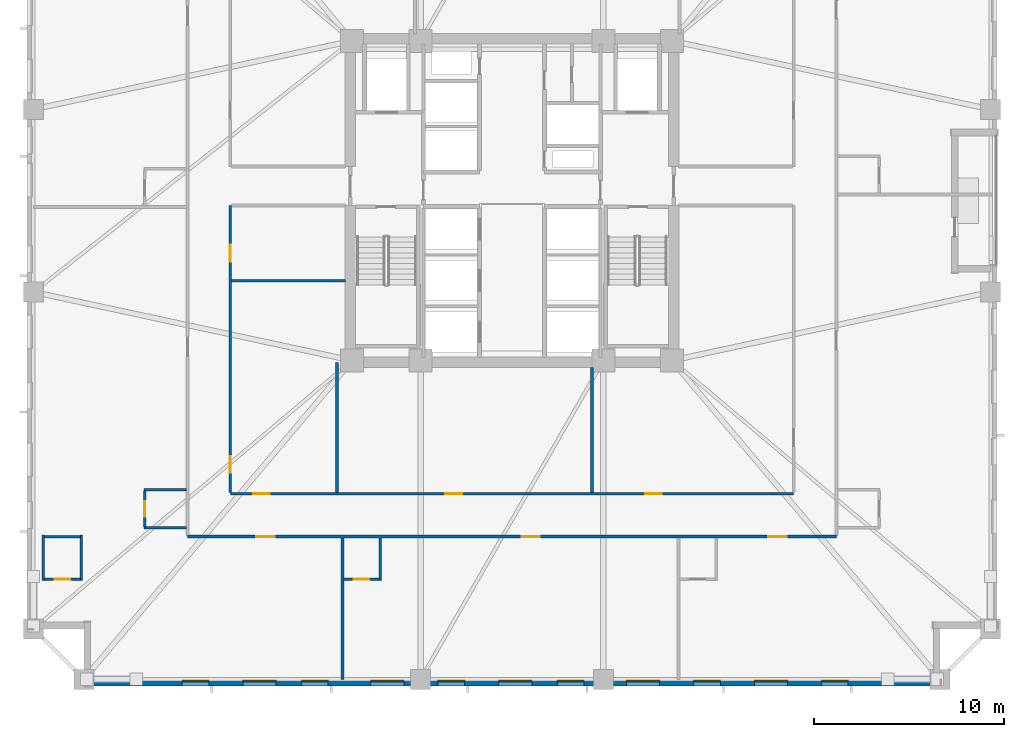
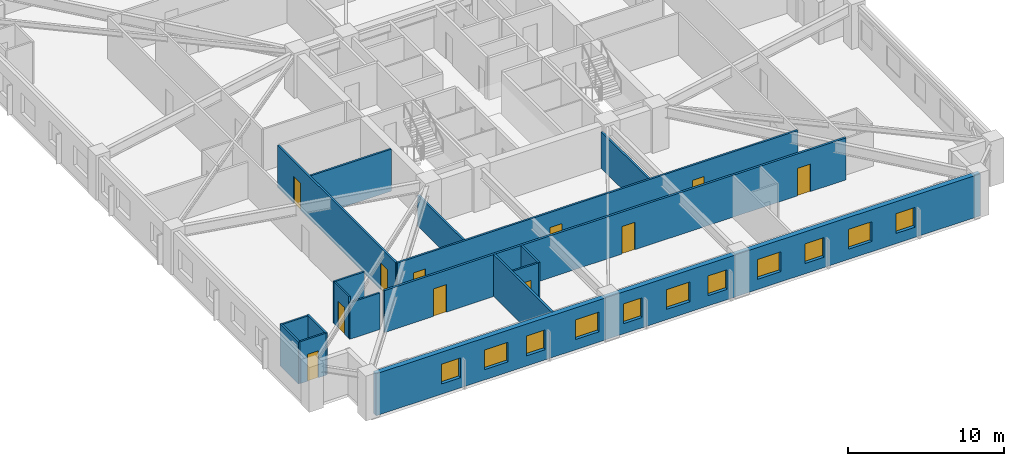
# One storey, part 2 of 11: 17 walls, 11 doors, 11 windows, 22 openings.
"""IFC4 building model written with IfcOpenShell, lengths in metres."""

from ifc_helpers import new_model, si_unit, direction, frame, frame_2d, origin, place, context, subcontext, project, spatial, rectangle, extrude, material, layer, layer_set, type_object, element, fill, save


model = new_model("IFC4")

# Units and contexts
model_context = context("Model", 3, precision=1e-05, world=origin(), true_north=direction((0.0, 1.0)))
body_context = subcontext(model_context, "Body", "Model", "MODEL_VIEW")
ifc_project = project(units=[si_unit("LENGTHUNIT", "METRE"), si_unit("AREAUNIT", "SQUARE_METRE"), si_unit("VOLUMEUNIT", "CUBIC_METRE"), si_unit("PLANEANGLEUNIT", "RADIAN"), si_unit("MASSUNIT", "GRAM", prefix="KILO")], contexts=[model_context])

# Site, building, storey
site_placement = place(None, origin())
site = spatial("IfcSite", under=ifc_project, at=site_placement, CompositionType="ELEMENT")
building_placement = place(site_placement, origin())
building = spatial("IfcBuilding", under=site, at=building_placement, Name="Cairnveth Concourse Tower", CompositionType="ELEMENT")
storey_placement = place(building_placement, frame((0.0, 0.0, 69.0)))
storey = spatial("IfcBuildingStorey", under=building, at=storey_placement, Name="L18", CompositionType="ELEMENT", Elevation=69.0)

# Wall, openings, doors
ifc_material_1 = material(Name="Gypsum Plasterboard Partition", Category="gypsum")
ifc_layer_1 = layer(ifc_material_1, 0.159912109375)
ifc_layer_set_1 = layer_set([ifc_layer_1], Name="Gypsum Plasterboard Partition")
wall_type_1 = type_object("IfcWallType", Name="ACOUSTIC PARTY WALL 180", PredefinedType="PARTITIONING", material=ifc_layer_set_1)
wall_1_placement = place(storey_placement, frame((34.949951171875, 21.35009765625, 0.0), z_axis=(0.0, 0.0, 1.0), x_axis=(1.0, 0.0, 0.0)))
wall_1 = element("IfcWall", 1, at=wall_1_placement, inside=storey, type_object=wall_type_1, Name="Interior Wall IW-L18-038", PredefinedType="PARTITIONING", context=body_context, shape_type="SweptSolid", body=[
    extrude(rectangle(XDim=34.10009765625, YDim=0.159912109375, at=frame_2d((17.050048828125, 0.0))), origin(), (0.0, 0.0, 1.0), 3.280029296875),
])
opening_1_placement = place(wall_1_placement, frame((3.61376953125, 0.0, 0.0)))
opening_1 = element("IfcOpeningElement", 2, at=opening_1_placement, cuts=wall_1, Name="Opening ID09", PredefinedType="OPENING", context=body_context, shape_type="SweptSolid", body=[
    extrude(rectangle(XDim=0.9599609375, YDim=2.14990234375, at=frame_2d((0.47998046875, 1.074951171875))), frame((0.0, 0.08984375, 0.0), z_axis=(0.0, -1.0, 0.0), x_axis=(1.0, 0.0, 0.0)), (0.0, 0.0, 1.0), 0.179931640625),
])
opening_2_placement = place(wall_1_placement, frame((17.56005859375, 0.0, 0.0)))
opening_2 = element("IfcOpeningElement", 3, at=opening_2_placement, cuts=wall_1, Name="Opening ID09", PredefinedType="OPENING", context=body_context, shape_type="SweptSolid", body=[
    extrude(rectangle(XDim=0.9599609375, YDim=2.14990234375, at=frame_2d((0.47998046875, 1.074951171875))), frame((0.0, 0.08984375, 0.0), z_axis=(0.0, -1.0, 0.0), x_axis=(1.0, 0.0, 0.0)), (0.0, 0.0, 1.0), 0.179931640625),
])
opening_3_placement = place(wall_1_placement, frame((30.51611328125, 0.0, 0.0)))
opening_3 = element("IfcOpeningElement", 4, at=opening_3_placement, cuts=wall_1, Name="Opening ID09", PredefinedType="OPENING", context=body_context, shape_type="SweptSolid", body=[
    extrude(rectangle(XDim=0.9599609375, YDim=2.14990234375, at=frame_2d((0.47998046875, 1.074951171875))), frame((0.0, 0.08984375, 0.0), z_axis=(0.0, -1.0, 0.0), x_axis=(1.0, 0.0, 0.0)), (0.0, 0.0, 1.0), 0.179931640625),
])
ifc_material_2 = material(Name="Solid Core Hardwood Timber Leaf", Category="wood")
door_type_1 = type_object("IfcDoorType", Name="HOTEL ENTRANCE DOOR 960X2150", OperationType="NOTDEFINED", PredefinedType="DOOR", material=ifc_material_2)
door_1_placement = place(opening_1_placement, origin())
door_1 = element("IfcDoor", 5, at=door_1_placement, inside=storey, type_object=door_type_1, Name="Hotel Room Door L18-S1", OperationType="SINGLE_SWING_RIGHT", OverallHeight=2.14990234375, OverallWidth=0.9599609375, PredefinedType="DOOR", context=body_context, shape_type="SweptSolid", body=[
    extrude(rectangle(XDim=0.9599609375, YDim=2.14990234375, at=frame_2d((0.47998046875, 1.074951171875))), frame((0.0, 0.02490234375, 0.0), z_axis=(0.0, -1.0, 0.0), x_axis=(1.0, 0.0, 0.0)), (0.0, 0.0, 1.0), 0.050048828125),
])
fill(opening_1, door_1)
door_2_placement = place(opening_2_placement, origin())
door_2 = element("IfcDoor", 6, at=door_2_placement, inside=storey, type_object=door_type_1, Name="Hotel Room Door L18-S2", OperationType="SINGLE_SWING_RIGHT", OverallHeight=2.14990234375, OverallWidth=0.9599609375, PredefinedType="DOOR", context=body_context, shape_type="SweptSolid", body=[
    extrude(rectangle(XDim=0.9599609375, YDim=2.14990234375, at=frame_2d((0.47998046875, 1.074951171875))), frame((0.0, 0.02490234375, 0.0), z_axis=(0.0, -1.0, 0.0), x_axis=(1.0, 0.0, 0.0)), (0.0, 0.0, 1.0), 0.050048828125),
])
fill(opening_2, door_2)
door_3_placement = place(opening_3_placement, origin())
door_3 = element("IfcDoor", 7, at=door_3_placement, inside=storey, type_object=door_type_1, Name="Hotel Room Door L18-S3", OperationType="SINGLE_SWING_RIGHT", OverallHeight=2.14990234375, OverallWidth=0.9599609375, PredefinedType="DOOR", context=body_context, shape_type="SweptSolid", body=[
    extrude(rectangle(XDim=0.9599609375, YDim=2.14990234375, at=frame_2d((0.47998046875, 1.074951171875))), frame((0.0, 0.02490234375, 0.0), z_axis=(0.0, -1.0, 0.0), x_axis=(1.0, 0.0, 0.0)), (0.0, 0.0, 1.0), 0.050048828125),
])
fill(opening_3, door_3)

# Wall
wall_2_placement = place(storey_placement, frame((43.08740234375, 13.844970703125, 0.0), z_axis=(0.0, 0.0, 1.0), x_axis=(0.0, 1.0, 0.0)))
element("IfcWall", 8, at=wall_2_placement, inside=storey, type_object=wall_type_1, Name="Interior Wall IW-L18-061", PredefinedType="PARTITIONING", context=body_context, shape_type="SweptSolid", body=[
    extrude(rectangle(XDim=7.43994140625, YDim=0.159912109375, at=frame_2d((3.719970703125, 0.0))), origin(), (0.0, 0.0, 1.0), 3.280029296875),
])

# Wall, openings, doors
ifc_layer_2 = layer(ifc_material_1, 0.139892578125)
ifc_layer_set_2 = layer_set([ifc_layer_2], Name="Gypsum Plasterboard Partition")
wall_type_2 = type_object("IfcWallType", Name="GYPSUM STUD PARTITION 140", PredefinedType="PARTITIONING", material=ifc_layer_set_2)
wall_3_placement = place(storey_placement, frame((37.199951171875, 23.60009765625, 0.0), z_axis=(0.0, 0.0, 1.0), x_axis=(1.0, 0.0, 0.0)))
wall_3 = element("IfcWall", 9, at=wall_3_placement, inside=storey, type_object=wall_type_2, Name="Interior Wall IW-L18-042", PredefinedType="PARTITIONING", context=body_context, shape_type="SweptSolid", body=[
    extrude(rectangle(XDim=29.60009765625, YDim=0.139892578125, at=frame_2d((14.800048828125, 0.0))), origin(), (0.0, 0.0, 1.0), 3.280029296875),
])
opening_4_placement = place(wall_3_placement, frame((1.199951171875, 0.0, 0.0)))
opening_4 = element("IfcOpeningElement", 10, at=opening_4_placement, cuts=wall_3, Name="Opening ID18", PredefinedType="OPENING", context=body_context, shape_type="SweptSolid", body=[
    extrude(rectangle(XDim=0.8798828125, YDim=2.10009765625, at=frame_2d((0.43994140625, 1.050048828125))), frame((0.0, 0.079833984375, 0.0), z_axis=(0.0, -1.0, 0.0), x_axis=(1.0, 0.0, 0.0)), (0.0, 0.0, 1.0), 0.159912109375),
])
opening_5_placement = place(wall_3_placement, frame((11.300048828125, 0.0, 0.0)))
opening_5 = element("IfcOpeningElement", 11, at=opening_5_placement, cuts=wall_3, Name="Opening ID18", PredefinedType="OPENING", context=body_context, shape_type="SweptSolid", body=[
    extrude(rectangle(XDim=0.8798828125, YDim=2.10009765625, at=frame_2d((0.43994140625, 1.050048828125))), frame((0.0, 0.079833984375, 0.0), z_axis=(0.0, -1.0, 0.0), x_axis=(1.0, 0.0, 0.0)), (0.0, 0.0, 1.0), 0.159912109375),
])
opening_6_placement = place(wall_3_placement, frame((21.800048828125, 0.0, 0.0)))
opening_6 = element("IfcOpeningElement", 12, at=opening_6_placement, cuts=wall_3, Name="Opening ID18", PredefinedType="OPENING", context=body_context, shape_type="SweptSolid", body=[
    extrude(rectangle(XDim=0.8798828125, YDim=2.10009765625, at=frame_2d((0.43994140625, 1.050048828125))), frame((0.0, 0.079833984375, 0.0), z_axis=(0.0, -1.0, 0.0), x_axis=(1.0, 0.0, 0.0)), (0.0, 0.0, 1.0), 0.159912109375),
])
door_type_2 = type_object("IfcDoorType", Name="INTERIOR SINGLE DOOR 880X2100", OperationType="NOTDEFINED", PredefinedType="DOOR", material=ifc_material_2)
door_4_placement = place(opening_4_placement, origin())
door_4 = element("IfcDoor", 13, at=door_4_placement, inside=storey, type_object=door_type_2, Name="Interior Door DR-L18-014", OperationType="SINGLE_SWING_RIGHT", OverallHeight=2.10009765625, OverallWidth=0.8798828125, PredefinedType="DOOR", context=body_context, shape_type="SweptSolid", body=[
    extrude(rectangle(XDim=0.8798828125, YDim=2.10009765625, at=frame_2d((0.43994140625, 1.050048828125))), frame((0.0, 0.02490234375, 0.0), z_axis=(0.0, -1.0, 0.0), x_axis=(1.0, 0.0, 0.0)), (0.0, 0.0, 1.0), 0.050048828125),
])
fill(opening_4, door_4)
door_5_placement = place(opening_5_placement, origin())
door_5 = element("IfcDoor", 14, at=door_5_placement, inside=storey, type_object=door_type_2, Name="Interior Door DR-L18-015", OperationType="SINGLE_SWING_LEFT", OverallHeight=2.10009765625, OverallWidth=0.8798828125, PredefinedType="DOOR", context=body_context, shape_type="SweptSolid", body=[
    extrude(rectangle(XDim=0.8798828125, YDim=2.10009765625, at=frame_2d((0.43994140625, 1.050048828125))), frame((0.0, 0.02490234375, 0.0), z_axis=(0.0, -1.0, 0.0), x_axis=(1.0, 0.0, 0.0)), (0.0, 0.0, 1.0), 0.050048828125),
])
fill(opening_5, door_5)
door_6_placement = place(opening_6_placement, origin())
door_6 = element("IfcDoor", 15, at=door_6_placement, inside=storey, type_object=door_type_2, Name="Interior Door DR-L18-016", OperationType="SINGLE_SWING_RIGHT", OverallHeight=2.10009765625, OverallWidth=0.8798828125, PredefinedType="DOOR", context=body_context, shape_type="SweptSolid", body=[
    extrude(rectangle(XDim=0.8798828125, YDim=2.10009765625, at=frame_2d((0.43994140625, 1.050048828125))), frame((0.0, 0.02490234375, 0.0), z_axis=(0.0, -1.0, 0.0), x_axis=(1.0, 0.0, 0.0)), (0.0, 0.0, 1.0), 0.050048828125),
])
fill(opening_6, door_6)

wall_4_placement = place(storey_placement, frame((37.199951171875, 23.655029296875, 0.0), z_axis=(0.0, 0.0, 1.0), x_axis=(0.0, 1.0, 0.0)))
wall_4 = element("IfcWall", 16, at=wall_4_placement, inside=storey, type_object=wall_type_2, Name="Interior Wall IW-L18-044", PredefinedType="PARTITIONING", context=body_context, shape_type="SweptSolid", body=[
    extrude(rectangle(XDim=15.094970703125, YDim=0.139892578125, at=frame_2d((7.54736328125, 0.0))), origin(), (0.0, 0.0, 1.0), 3.280029296875),
])
opening_7_placement = place(wall_4_placement, frame((1.044921875, 0.0, 0.0)))
opening_7 = element("IfcOpeningElement", 17, at=opening_7_placement, cuts=wall_4, Name="Opening ID18", PredefinedType="OPENING", context=body_context, shape_type="SweptSolid", body=[
    extrude(rectangle(XDim=0.8798828125, YDim=2.10009765625, at=frame_2d((0.43994140625, 1.050048828125))), frame((0.0, 0.079833984375, 0.0), z_axis=(0.0, -1.0, 0.0), x_axis=(1.0, 0.0, 0.0)), (0.0, 0.0, 1.0), 0.159912109375),
])
opening_8_placement = place(wall_4_placement, frame((12.14501953125, 0.0, 0.0)))
opening_8 = element("IfcOpeningElement", 18, at=opening_8_placement, cuts=wall_4, Name="Opening ID18", PredefinedType="OPENING", context=body_context, shape_type="SweptSolid", body=[
    extrude(rectangle(XDim=0.8798828125, YDim=2.10009765625, at=frame_2d((0.43994140625, 1.050048828125))), frame((0.0, 0.079833984375, 0.0), z_axis=(0.0, -1.0, 0.0), x_axis=(1.0, 0.0, 0.0)), (0.0, 0.0, 1.0), 0.159912109375),
])
door_7_placement = place(opening_7_placement, origin())
door_7 = element("IfcDoor", 19, at=door_7_placement, inside=storey, type_object=door_type_2, Name="Interior Door DR-L18-020", OperationType="SINGLE_SWING_RIGHT", OverallHeight=2.10009765625, OverallWidth=0.8798828125, PredefinedType="DOOR", context=body_context, shape_type="SweptSolid", body=[
    extrude(rectangle(XDim=0.8798828125, YDim=2.10009765625, at=frame_2d((0.43994140625, 1.050048828125))), frame((0.0, 0.02490234375, 0.0), z_axis=(0.0, -1.0, 0.0), x_axis=(1.0, 0.0, 0.0)), (0.0, 0.0, 1.0), 0.050048828125),
])
fill(opening_7, door_7)
door_8_placement = place(opening_8_placement, origin())
door_8 = element("IfcDoor", 20, at=door_8_placement, inside=storey, type_object=door_type_2, Name="Interior Door DR-L18-021", OperationType="SINGLE_SWING_LEFT", OverallHeight=2.10009765625, OverallWidth=0.8798828125, PredefinedType="DOOR", context=body_context, shape_type="SweptSolid", body=[
    extrude(rectangle(XDim=0.8798828125, YDim=2.10009765625, at=frame_2d((0.43994140625, 1.050048828125))), frame((0.0, 0.02490234375, 0.0), z_axis=(0.0, -1.0, 0.0), x_axis=(1.0, 0.0, 0.0)), (0.0, 0.0, 1.0), 0.050048828125),
])
fill(opening_8, door_8)

# Walls
wall_5_placement = place(storey_placement, frame((42.800048828125, 23.655029296875, 0.0), z_axis=(0.0, 0.0, 1.0), x_axis=(0.0, 1.0, 0.0)))
element("IfcWall", 21, at=wall_5_placement, inside=storey, type_object=wall_type_2, Name="Interior Wall IW-L18-052", PredefinedType="PARTITIONING", context=body_context, shape_type="SweptSolid", body=[
    extrude(rectangle(XDim=6.844970703125, YDim=0.139892578125, at=frame_2d((3.42236328125, 0.0))), origin(), (0.0, 0.0, 1.0), 2.43896484375),
])
wall_6_placement = place(storey_placement, frame((56.199951171875, 23.655029296875, 0.0), z_axis=(0.0, 0.0, 1.0), x_axis=(0.0, 1.0, 0.0)))
element("IfcWall", 22, at=wall_6_placement, inside=storey, type_object=wall_type_2, Name="Interior Wall IW-L18-053", PredefinedType="PARTITIONING", context=body_context, shape_type="SweptSolid", body=[
    extrude(rectangle(XDim=6.5849609375, YDim=0.139892578125, at=frame_2d((3.29248046875, 0.0))), origin(), (0.0, 0.0, 1.0), 2.84912109375),
])
wall_7_placement = place(storey_placement, frame((37.2548828125, 34.800048828125, 0.0), z_axis=(0.0, 0.0, 1.0), x_axis=(1.0, 0.0, 0.0)))
element("IfcWall", 23, at=wall_7_placement, inside=storey, type_object=wall_type_2, Name="Interior Wall IW-L18-056", PredefinedType="PARTITIONING", context=body_context, shape_type="SweptSolid", body=[
    extrude(rectangle(XDim=5.985107421875, YDim=0.139892578125, at=frame_2d((2.99267578125, 0.0))), origin(), (0.0, 0.0, 1.0), 3.280029296875),
])
ifc_layer_3 = layer(ifc_material_1, 0.1298828125)
ifc_layer_set_3 = layer_set([ifc_layer_3], Name="Gypsum Plasterboard Partition")
wall_type_3 = type_object("IfcWallType", Name="WET AREA PARTITION 140", PredefinedType="PLUMBINGWALL", material=ifc_layer_set_3)
for number, where, z_axis, x_axis, name in (
    (24, (27.3701171875, 19.050048828125, 0.0), (0.0, 0.0, 1.0), (0.0, 1.0, 0.0), "Interior Wall IW-L18-057"),
    (25, (29.3701171875, 19.050048828125, 0.0), (0.0, 0.0, 1.0), (0.0, 1.0, 0.0), "Interior Wall IW-L18-058"),
):
    element("IfcWall", number, at=place(storey_placement, frame(where, z_axis=z_axis, x_axis=x_axis)), inside=storey, type_object=wall_type_3, Name=name, PredefinedType="PLUMBINGWALL", context=body_context, shape_type="SweptSolid", body=[
        extrude(rectangle(XDim=2.3798828125, YDim=0.1298828125, at=frame_2d((1.18994140625, 0.0))), origin(), (0.0, 0.0, 1.0), 3.280029296875),
    ])

# Wall, opening, door
wall_8_placement = place(storey_placement, frame((27.419921875, 19.10009765625, 0.0), z_axis=(0.0, 0.0, 1.0), x_axis=(1.0, 0.0, 0.0)))
wall_8 = element("IfcWall", 26, at=wall_8_placement, inside=storey, type_object=wall_type_3, Name="Interior Wall IW-L18-059", PredefinedType="PLUMBINGWALL", context=body_context, shape_type="SweptSolid", body=[
    extrude(rectangle(XDim=1.900146484375, YDim=0.1298828125, at=frame_2d((0.9501953125, 0.0))), origin(), (0.0, 0.0, 1.0), 3.280029296875),
])
opening_9_placement = place(wall_8_placement, frame((0.5400390625, 0.0, 0.0)))
opening_9 = element("IfcOpeningElement", 27, at=opening_9_placement, cuts=wall_8, Name="Opening ID22", PredefinedType="OPENING", context=body_context, shape_type="SweptSolid", body=[
    extrude(rectangle(XDim=0.820068359375, YDim=2.10009765625, at=frame_2d((0.41015625, 1.050048828125))), frame((0.0, 0.074951171875, 0.0), z_axis=(0.0, -1.0, 0.0), x_axis=(1.0, 0.0, 0.0)), (0.0, 0.0, 1.0), 0.14990234375),
])
door_type_3 = type_object("IfcDoorType", Name="INTERIOR WC DOOR 820X2100", OperationType="NOTDEFINED", PredefinedType="DOOR", material=ifc_material_2)
door_9_placement = place(opening_9_placement, origin())
door_9 = element("IfcDoor", 28, at=door_9_placement, inside=storey, type_object=door_type_3, Name="En-Suite Door L18-S1", OperationType="SINGLE_SWING_LEFT", OverallHeight=2.10009765625, OverallWidth=0.820068359375, PredefinedType="DOOR", context=body_context, shape_type="SweptSolid", body=[
    extrude(rectangle(XDim=0.820068359375, YDim=2.10009765625, at=frame_2d((0.41015625, 1.050048828125))), frame((0.0, 0.02490234375, 0.0), z_axis=(0.0, -1.0, 0.0), x_axis=(1.0, 0.0, 0.0)), (0.0, 0.0, 1.0), 0.050048828125),
])
fill(opening_9, door_9)

# Walls
wall_9_placement = place(storey_placement, frame((27.419921875, 21.35009765625, 0.0), z_axis=(0.0, 0.0, 1.0), x_axis=(1.0, 0.0, 0.0)))
element("IfcWall", 29, at=wall_9_placement, inside=storey, type_object=wall_type_3, Name="Interior Wall IW-L18-060", PredefinedType="PLUMBINGWALL", context=body_context, shape_type="SweptSolid", body=[
    extrude(rectangle(XDim=1.900146484375, YDim=0.1298828125, at=frame_2d((0.9501953125, 0.0))), origin(), (0.0, 0.0, 1.0), 3.280029296875),
])
wall_10_placement = place(storey_placement, frame((45.08740234375, 19.050048828125, 0.0), z_axis=(0.0, 0.0, 1.0), x_axis=(0.0, 1.0, 0.0)))
element("IfcWall", 30, at=wall_10_placement, inside=storey, type_object=wall_type_3, Name="Interior Wall IW-L18-062", PredefinedType="PLUMBINGWALL", context=body_context, shape_type="SweptSolid", body=[
    extrude(rectangle(XDim=2.23486328125, YDim=0.1298828125, at=frame_2d((1.117431640625, 0.0))), origin(), (0.0, 0.0, 1.0), 3.280029296875),
])

# Wall, opening, door
wall_11_placement = place(storey_placement, frame((43.152587890625, 19.10009765625, 0.0), z_axis=(0.0, 0.0, 1.0), x_axis=(1.0, 0.0, 0.0)))
wall_11 = element("IfcWall", 31, at=wall_11_placement, inside=storey, type_object=wall_type_3, Name="Interior Wall IW-L18-063", PredefinedType="PLUMBINGWALL", context=body_context, shape_type="SweptSolid", body=[
    extrude(rectangle(XDim=1.885009765625, YDim=0.1298828125, at=frame_2d((0.9423828125, 0.0))), origin(), (0.0, 0.0, 1.0), 3.280029296875),
])
opening_10_placement = place(wall_11_placement, frame((0.52490234375, 0.0, 0.0)))
opening_10 = element("IfcOpeningElement", 32, at=opening_10_placement, cuts=wall_11, Name="Opening ID22", PredefinedType="OPENING", context=body_context, shape_type="SweptSolid", body=[
    extrude(rectangle(XDim=0.820068359375, YDim=2.10009765625, at=frame_2d((0.41015625, 1.050048828125))), frame((0.0, 0.074951171875, 0.0), z_axis=(0.0, -1.0, 0.0), x_axis=(1.0, 0.0, 0.0)), (0.0, 0.0, 1.0), 0.14990234375),
])
door_10_placement = place(opening_10_placement, origin())
door_10 = element("IfcDoor", 33, at=door_10_placement, inside=storey, type_object=door_type_3, Name="En-Suite Door L18-S2", OperationType="SINGLE_SWING_LEFT", OverallHeight=2.10009765625, OverallWidth=0.820068359375, PredefinedType="DOOR", context=body_context, shape_type="SweptSolid", body=[
    extrude(rectangle(XDim=0.820068359375, YDim=2.10009765625, at=frame_2d((0.41015625, 1.050048828125))), frame((0.0, 0.02490234375, 0.0), z_axis=(0.0, -1.0, 0.0), x_axis=(1.0, 0.0, 0.0)), (0.0, 0.0, 1.0), 0.050048828125),
])
fill(opening_10, door_10)

# Walls
wall_12_placement = place(storey_placement, frame((32.64990234375, 21.800048828125, 0.0), z_axis=(0.0, 0.0, 1.0), x_axis=(1.0, 0.0, 0.0)))
element("IfcWall", 34, at=wall_12_placement, inside=storey, type_object=wall_type_3, Name="Interior Wall IW-L18-077", PredefinedType="PLUMBINGWALL", context=body_context, shape_type="SweptSolid", body=[
    extrude(rectangle(XDim=2.235107421875, YDim=0.1298828125, at=frame_2d((1.11767578125, 0.0))), origin(), (0.0, 0.0, 1.0), 2.84912109375),
])
wall_13_placement = place(storey_placement, frame((32.64990234375, 23.800048828125, 0.0), z_axis=(0.0, 0.0, 1.0), x_axis=(1.0, 0.0, 0.0)))
element("IfcWall", 35, at=wall_13_placement, inside=storey, type_object=wall_type_3, Name="Interior Wall IW-L18-078", PredefinedType="PLUMBINGWALL", context=body_context, shape_type="SweptSolid", body=[
    extrude(rectangle(XDim=2.235107421875, YDim=0.1298828125, at=frame_2d((1.11767578125, 0.0))), origin(), (0.0, 0.0, 1.0), 3.280029296875),
])

# Wall, opening, door
wall_14_placement = place(storey_placement, frame((32.699951171875, 21.85009765625, 0.0), z_axis=(0.0, 0.0, 1.0), x_axis=(0.0, 1.0, 0.0)))
wall_14 = element("IfcWall", 36, at=wall_14_placement, inside=storey, type_object=wall_type_3, Name="Interior Wall IW-L18-079", PredefinedType="PLUMBINGWALL", context=body_context, shape_type="SweptSolid", body=[
    extrude(rectangle(XDim=1.89990234375, YDim=0.1298828125, at=frame_2d((0.949951171875, 0.0))), origin(), (0.0, 0.0, 1.0), 3.280029296875),
])
opening_11_placement = place(wall_14_placement, frame((0.5400390625, 0.0, 0.0)))
opening_11 = element("IfcOpeningElement", 37, at=opening_11_placement, cuts=wall_14, Name="Opening ID22", PredefinedType="OPENING", context=body_context, shape_type="SweptSolid", body=[
    extrude(rectangle(XDim=0.820068359375, YDim=2.10009765625, at=frame_2d((0.41015625, 1.050048828125))), frame((0.0, 0.074951171875, 0.0), z_axis=(0.0, -1.0, 0.0), x_axis=(1.0, 0.0, 0.0)), (0.0, 0.0, 1.0), 0.14990234375),
])
door_11_placement = place(opening_11_placement, origin())
door_11 = element("IfcDoor", 38, at=door_11_placement, inside=storey, type_object=door_type_3, Name="En-Suite Door L18-W1", OperationType="SINGLE_SWING_LEFT", OverallHeight=2.10009765625, OverallWidth=0.820068359375, PredefinedType="DOOR", context=body_context, shape_type="SweptSolid", body=[
    extrude(rectangle(XDim=0.820068359375, YDim=2.10009765625, at=frame_2d((0.41015625, 1.050048828125))), frame((0.0, 0.02490234375, 0.0), z_axis=(0.0, -1.0, 0.0), x_axis=(1.0, 0.0, 0.0)), (0.0, 0.0, 1.0), 0.050048828125),
])
fill(opening_11, door_11)

# Wall, openings, windows
ifc_material_3 = material(Name="Hawthorn Red-Ochre Fired Clay Brick Masonry", Category="masonry")
ifc_layer_4 = layer(ifc_material_3, 0.360107421875)
ifc_layer_set_4 = layer_set([ifc_layer_4], Name="Hawthorn Red-Ochre Fired Clay Brick Masonry")
wall_type_4 = type_object("IfcWallType", Name="ZONE 1 BRICK PIER SPANDREL WALL 360", PredefinedType="SOLIDWALL", material=ifc_layer_set_4)
wall_15_placement = place(storey_placement, frame((74.5, 13.679931640625, 0.0), z_axis=(0.0, 0.0, 1.0), x_axis=(-1.0, 0.0, 0.0)))
wall_15 = element("IfcWall", 39, at=wall_15_placement, inside=storey, type_object=wall_type_4, Name="Exterior Wall EW-L18-S03", PredefinedType="SOLIDWALL", context=body_context, shape_type="SweptSolid", body=[
    extrude(rectangle(XDim=44.662109375, YDim=0.360107421875, at=frame_2d((22.3310546875, 0.0))), origin(), (0.0, 0.0, 1.0), 3.280029296875),
])
opening_12_placement = place(wall_15_placement, frame((4.830078125, 0.0, 0.800048828125)))
opening_12 = element("IfcOpeningElement", 40, at=opening_12_placement, cuts=wall_15, Name="Opening W05", PredefinedType="OPENING", context=body_context, shape_type="SweptSolid", body=[
    extrude(rectangle(XDim=1.39990234375, YDim=1.5439453125, at=frame_2d((0.699951171875, 0.77197265625))), frame((0.0, 0.18994140625, 0.0), z_axis=(0.0, -1.0, 0.0), x_axis=(1.0, 0.0, 0.0)), (0.0, 0.0, 1.0), 0.380126953125),
])
opening_13_placement = place(wall_15_placement, frame((8.015380859375, 0.0, 0.800048828125)))
opening_13 = element("IfcOpeningElement", 41, at=opening_13_placement, cuts=wall_15, Name="Opening W06", PredefinedType="OPENING", context=body_context, shape_type="SweptSolid", body=[
    extrude(rectangle(XDim=1.75, YDim=1.5439453125, at=frame_2d((0.875, 0.77197265625))), frame((0.0, 0.18994140625, 0.0), z_axis=(0.0, -1.0, 0.0), x_axis=(1.0, 0.0, 0.0)), (0.0, 0.0, 1.0), 0.380126953125),
])
opening_14_placement = place(wall_15_placement, frame((11.550537109375, 0.0, 0.800048828125)))
opening_14 = element("IfcOpeningElement", 42, at=opening_14_placement, cuts=wall_15, Name="Opening W05", PredefinedType="OPENING", context=body_context, shape_type="SweptSolid", body=[
    extrude(rectangle(XDim=1.39990234375, YDim=1.5439453125, at=frame_2d((0.699951171875, 0.77197265625))), frame((0.0, 0.18994140625, 0.0), z_axis=(0.0, -1.0, 0.0), x_axis=(1.0, 0.0, 0.0)), (0.0, 0.0, 1.0), 0.380126953125),
])
opening_15_placement = place(wall_15_placement, frame((14.735595703125, 0.0, 0.800048828125)))
opening_15 = element("IfcOpeningElement", 43, at=opening_15_placement, cuts=wall_15, Name="Opening W06", PredefinedType="OPENING", context=body_context, shape_type="SweptSolid", body=[
    extrude(rectangle(XDim=1.75, YDim=1.5439453125, at=frame_2d((0.875, 0.77197265625))), frame((0.0, 0.18994140625, 0.0), z_axis=(0.0, -1.0, 0.0), x_axis=(1.0, 0.0, 0.0)), (0.0, 0.0, 1.0), 0.380126953125),
])
opening_16_placement = place(wall_15_placement, frame((18.720703125, 0.0, 0.800048828125)))
opening_16 = element("IfcOpeningElement", 44, at=opening_16_placement, cuts=wall_15, Name="Opening W05", PredefinedType="OPENING", context=body_context, shape_type="SweptSolid", body=[
    extrude(rectangle(XDim=1.39990234375, YDim=1.5439453125, at=frame_2d((0.699951171875, 0.77197265625))), frame((0.0, 0.18994140625, 0.0), z_axis=(0.0, -1.0, 0.0), x_axis=(1.0, 0.0, 0.0)), (0.0, 0.0, 1.0), 0.380126953125),
])
opening_17_placement = place(wall_15_placement, frame((21.4560546875, 0.0, 0.800048828125)))
opening_17 = element("IfcOpeningElement", 45, at=opening_17_placement, cuts=wall_15, Name="Opening W06", PredefinedType="OPENING", context=body_context, shape_type="SweptSolid", body=[
    extrude(rectangle(XDim=1.75, YDim=1.5439453125, at=frame_2d((0.875, 0.77197265625))), frame((0.0, 0.18994140625, 0.0), z_axis=(0.0, -1.0, 0.0), x_axis=(1.0, 0.0, 0.0)), (0.0, 0.0, 1.0), 0.380126953125),
])
opening_18_placement = place(wall_15_placement, frame((24.9912109375, 0.0, 0.800048828125)))
opening_18 = element("IfcOpeningElement", 46, at=opening_18_placement, cuts=wall_15, Name="Opening W05", PredefinedType="OPENING", context=body_context, shape_type="SweptSolid", body=[
    extrude(rectangle(XDim=1.39990234375, YDim=1.5439453125, at=frame_2d((0.699951171875, 0.77197265625))), frame((0.0, 0.18994140625, 0.0), z_axis=(0.0, -1.0, 0.0), x_axis=(1.0, 0.0, 0.0)), (0.0, 0.0, 1.0), 0.380126953125),
])
opening_19_placement = place(wall_15_placement, frame((28.176513671875, 0.0, 0.800048828125)))
opening_19 = element("IfcOpeningElement", 47, at=opening_19_placement, cuts=wall_15, Name="Opening W06", PredefinedType="OPENING", context=body_context, shape_type="SweptSolid", body=[
    extrude(rectangle(XDim=1.75, YDim=1.5439453125, at=frame_2d((0.875, 0.77197265625))), frame((0.0, 0.18994140625, 0.0), z_axis=(0.0, -1.0, 0.0), x_axis=(1.0, 0.0, 0.0)), (0.0, 0.0, 1.0), 0.380126953125),
])
opening_20_placement = place(wall_15_placement, frame((32.16162109375, 0.0, 0.800048828125)))
opening_20 = element("IfcOpeningElement", 48, at=opening_20_placement, cuts=wall_15, Name="Opening W05", PredefinedType="OPENING", context=body_context, shape_type="SweptSolid", body=[
    extrude(rectangle(XDim=1.39990234375, YDim=1.5439453125, at=frame_2d((0.699951171875, 0.77197265625))), frame((0.0, 0.18994140625, 0.0), z_axis=(0.0, -1.0, 0.0), x_axis=(1.0, 0.0, 0.0)), (0.0, 0.0, 1.0), 0.380126953125),
])
opening_21_placement = place(wall_15_placement, frame((34.896728515625, 0.0, 0.800048828125)))
opening_21 = element("IfcOpeningElement", 49, at=opening_21_placement, cuts=wall_15, Name="Opening W06", PredefinedType="OPENING", context=body_context, shape_type="SweptSolid", body=[
    extrude(rectangle(XDim=1.75, YDim=1.5439453125, at=frame_2d((0.875, 0.77197265625))), frame((0.0, 0.18994140625, 0.0), z_axis=(0.0, -1.0, 0.0), x_axis=(1.0, 0.0, 0.0)), (0.0, 0.0, 1.0), 0.380126953125),
])
opening_22_placement = place(wall_15_placement, frame((38.431884765625, 0.0, 0.800048828125)))
opening_22 = element("IfcOpeningElement", 50, at=opening_22_placement, cuts=wall_15, Name="Opening W05", PredefinedType="OPENING", context=body_context, shape_type="SweptSolid", body=[
    extrude(rectangle(XDim=1.39990234375, YDim=1.5439453125, at=frame_2d((0.699951171875, 0.77197265625))), frame((0.0, 0.18994140625, 0.0), z_axis=(0.0, -1.0, 0.0), x_axis=(1.0, 0.0, 0.0)), (0.0, 0.0, 1.0), 0.380126953125),
])
ifc_material_4 = material(Name="Double Glazed Low-E Clear Glass", Category="glass")
window_type_1 = type_object("IfcWindowType", Name="DEEP-SET HOTEL CASEMENT WINDOW 1400X1750", PartitioningType="DOUBLE_PANEL_VERTICAL", PredefinedType="WINDOW", material=ifc_material_4)
window_1_placement = place(opening_12_placement, origin())
window_1 = element("IfcWindow", 51, at=window_1_placement, inside=storey, type_object=window_type_1, Name="Gothic Lancet Window L18-3-1", OverallHeight=1.5439453125, OverallWidth=1.39990234375, PartitioningType="SINGLE_PANEL", PredefinedType="WINDOW", context=body_context, shape_type="SweptSolid", body=[
    extrude(rectangle(XDim=1.39990234375, YDim=1.5439453125, at=frame_2d((0.699951171875, 0.77197265625))), frame((0.0, -0.050048828125, 0.0), z_axis=(0.0, -1.0, 0.0), x_axis=(1.0, 0.0, 0.0)), (0.0, 0.0, 1.0), 0.06005859375),
])
fill(opening_12, window_1)
window_2_placement = place(opening_14_placement, origin())
window_2 = element("IfcWindow", 52, at=window_2_placement, inside=storey, type_object=window_type_1, Name="Gothic Lancet Window L18-3-3", OverallHeight=1.5439453125, OverallWidth=1.39990234375, PartitioningType="SINGLE_PANEL", PredefinedType="WINDOW", context=body_context, shape_type="SweptSolid", body=[
    extrude(rectangle(XDim=1.39990234375, YDim=1.5439453125, at=frame_2d((0.699951171875, 0.77197265625))), frame((0.0, -0.050048828125, 0.0), z_axis=(0.0, -1.0, 0.0), x_axis=(1.0, 0.0, 0.0)), (0.0, 0.0, 1.0), 0.06005859375),
])
fill(opening_14, window_2)
window_3_placement = place(opening_16_placement, origin())
window_3 = element("IfcWindow", 53, at=window_3_placement, inside=storey, type_object=window_type_1, Name="Gothic Lancet Window L18-3-5", OverallHeight=1.5439453125, OverallWidth=1.39990234375, PartitioningType="SINGLE_PANEL", PredefinedType="WINDOW", context=body_context, shape_type="SweptSolid", body=[
    extrude(rectangle(XDim=1.39990234375, YDim=1.5439453125, at=frame_2d((0.699951171875, 0.77197265625))), frame((0.0, -0.050048828125, 0.0), z_axis=(0.0, -1.0, 0.0), x_axis=(1.0, 0.0, 0.0)), (0.0, 0.0, 1.0), 0.06005859375),
])
fill(opening_16, window_3)
window_4_placement = place(opening_18_placement, origin())
window_4 = element("IfcWindow", 54, at=window_4_placement, inside=storey, type_object=window_type_1, Name="Gothic Lancet Window L18-3-7", OverallHeight=1.5439453125, OverallWidth=1.39990234375, PartitioningType="SINGLE_PANEL", PredefinedType="WINDOW", context=body_context, shape_type="SweptSolid", body=[
    extrude(rectangle(XDim=1.39990234375, YDim=1.5439453125, at=frame_2d((0.699951171875, 0.77197265625))), frame((0.0, -0.050048828125, 0.0), z_axis=(0.0, -1.0, 0.0), x_axis=(1.0, 0.0, 0.0)), (0.0, 0.0, 1.0), 0.06005859375),
])
fill(opening_18, window_4)
window_5_placement = place(opening_20_placement, origin())
window_5 = element("IfcWindow", 55, at=window_5_placement, inside=storey, type_object=window_type_1, Name="Gothic Lancet Window L18-3-9", OverallHeight=1.5439453125, OverallWidth=1.39990234375, PartitioningType="SINGLE_PANEL", PredefinedType="WINDOW", context=body_context, shape_type="SweptSolid", body=[
    extrude(rectangle(XDim=1.39990234375, YDim=1.5439453125, at=frame_2d((0.699951171875, 0.77197265625))), frame((0.0, -0.050048828125, 0.0), z_axis=(0.0, -1.0, 0.0), x_axis=(1.0, 0.0, 0.0)), (0.0, 0.0, 1.0), 0.06005859375),
])
fill(opening_20, window_5)
window_6_placement = place(opening_22_placement, origin())
window_6 = element("IfcWindow", 56, at=window_6_placement, inside=storey, type_object=window_type_1, Name="Gothic Lancet Window L18-3-11", OverallHeight=1.5439453125, OverallWidth=1.39990234375, PartitioningType="SINGLE_PANEL", PredefinedType="WINDOW", context=body_context, shape_type="SweptSolid", body=[
    extrude(rectangle(XDim=1.39990234375, YDim=1.5439453125, at=frame_2d((0.699951171875, 0.77197265625))), frame((0.0, -0.050048828125, 0.0), z_axis=(0.0, -1.0, 0.0), x_axis=(1.0, 0.0, 0.0)), (0.0, 0.0, 1.0), 0.06005859375),
])
fill(opening_22, window_6)
window_type_2 = type_object("IfcWindowType", Name="DEEP-SET HOTEL SUITE WINDOW 1750X1800", PartitioningType="DOUBLE_PANEL_VERTICAL", PredefinedType="WINDOW", material=ifc_material_4)
window_7_placement = place(opening_13_placement, origin())
window_7 = element("IfcWindow", 57, at=window_7_placement, inside=storey, type_object=window_type_2, Name="Gothic Lancet Window L18-3-2", OverallHeight=1.5439453125, OverallWidth=1.75, PartitioningType="SINGLE_PANEL", PredefinedType="WINDOW", context=body_context, shape_type="SweptSolid", body=[
    extrude(rectangle(XDim=1.75, YDim=1.5439453125, at=frame_2d((0.875, 0.77197265625))), frame((0.0, -0.050048828125, 0.0), z_axis=(0.0, -1.0, 0.0), x_axis=(1.0, 0.0, 0.0)), (0.0, 0.0, 1.0), 0.06005859375),
])
fill(opening_13, window_7)
window_8_placement = place(opening_15_placement, origin())
window_8 = element("IfcWindow", 58, at=window_8_placement, inside=storey, type_object=window_type_2, Name="Gothic Lancet Window L18-3-4", OverallHeight=1.5439453125, OverallWidth=1.75, PartitioningType="SINGLE_PANEL", PredefinedType="WINDOW", context=body_context, shape_type="SweptSolid", body=[
    extrude(rectangle(XDim=1.75, YDim=1.5439453125, at=frame_2d((0.875, 0.77197265625))), frame((0.0, -0.050048828125, 0.0), z_axis=(0.0, -1.0, 0.0), x_axis=(1.0, 0.0, 0.0)), (0.0, 0.0, 1.0), 0.06005859375),
])
fill(opening_15, window_8)
window_9_placement = place(opening_17_placement, origin())
window_9 = element("IfcWindow", 59, at=window_9_placement, inside=storey, type_object=window_type_2, Name="Gothic Lancet Window L18-3-6", OverallHeight=1.5439453125, OverallWidth=1.75, PartitioningType="SINGLE_PANEL", PredefinedType="WINDOW", context=body_context, shape_type="SweptSolid", body=[
    extrude(rectangle(XDim=1.75, YDim=1.5439453125, at=frame_2d((0.875, 0.77197265625))), frame((0.0, -0.050048828125, 0.0), z_axis=(0.0, -1.0, 0.0), x_axis=(1.0, 0.0, 0.0)), (0.0, 0.0, 1.0), 0.06005859375),
])
fill(opening_17, window_9)
window_10_placement = place(opening_19_placement, origin())
window_10 = element("IfcWindow", 60, at=window_10_placement, inside=storey, type_object=window_type_2, Name="Gothic Lancet Window L18-3-8", OverallHeight=1.5439453125, OverallWidth=1.75, PartitioningType="SINGLE_PANEL", PredefinedType="WINDOW", context=body_context, shape_type="SweptSolid", body=[
    extrude(rectangle(XDim=1.75, YDim=1.5439453125, at=frame_2d((0.875, 0.77197265625))), frame((0.0, -0.050048828125, 0.0), z_axis=(0.0, -1.0, 0.0), x_axis=(1.0, 0.0, 0.0)), (0.0, 0.0, 1.0), 0.06005859375),
])
fill(opening_19, window_10)
window_11_placement = place(opening_21_placement, origin())
window_11 = element("IfcWindow", 61, at=window_11_placement, inside=storey, type_object=window_type_2, Name="Gothic Lancet Window L18-3-10", OverallHeight=1.5439453125, OverallWidth=1.75, PartitioningType="SINGLE_PANEL", PredefinedType="WINDOW", context=body_context, shape_type="SweptSolid", body=[
    extrude(rectangle(XDim=1.75, YDim=1.5439453125, at=frame_2d((0.875, 0.77197265625))), frame((0.0, -0.050048828125, 0.0), z_axis=(0.0, -1.0, 0.0), x_axis=(1.0, 0.0, 0.0)), (0.0, 0.0, 1.0), 0.06005859375),
])
fill(opening_21, window_11)

save(model, "model.ifc")
